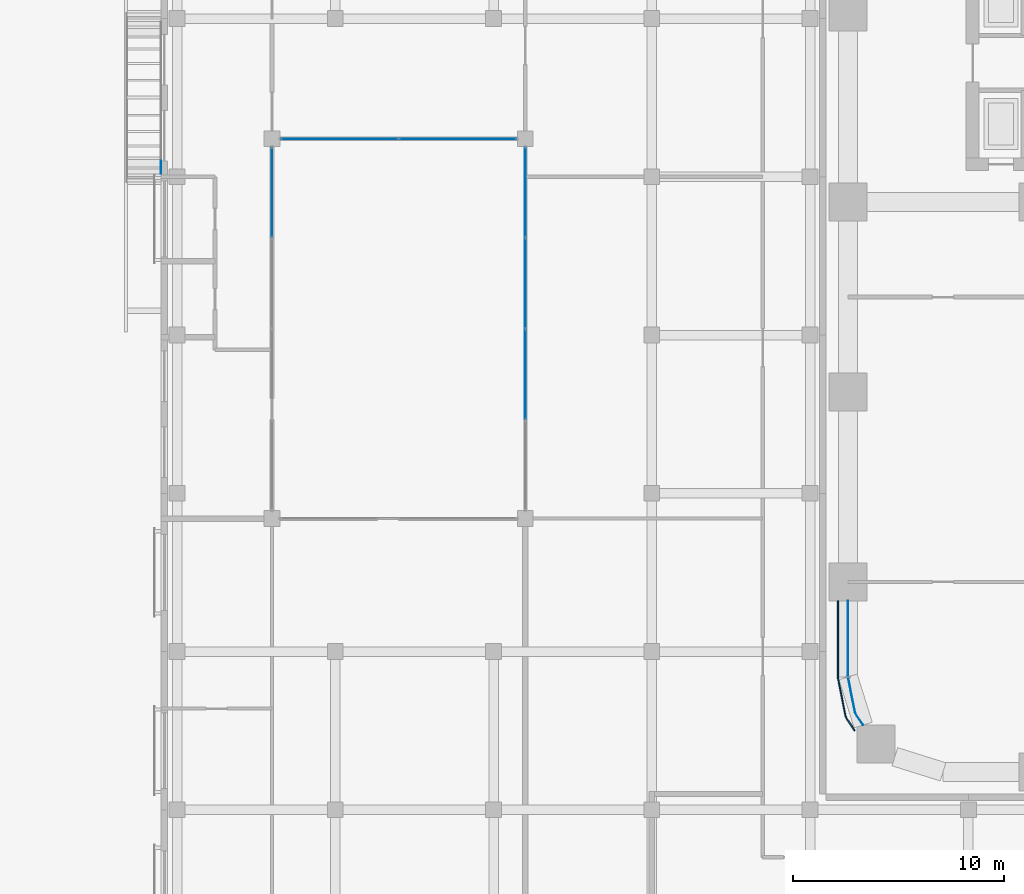
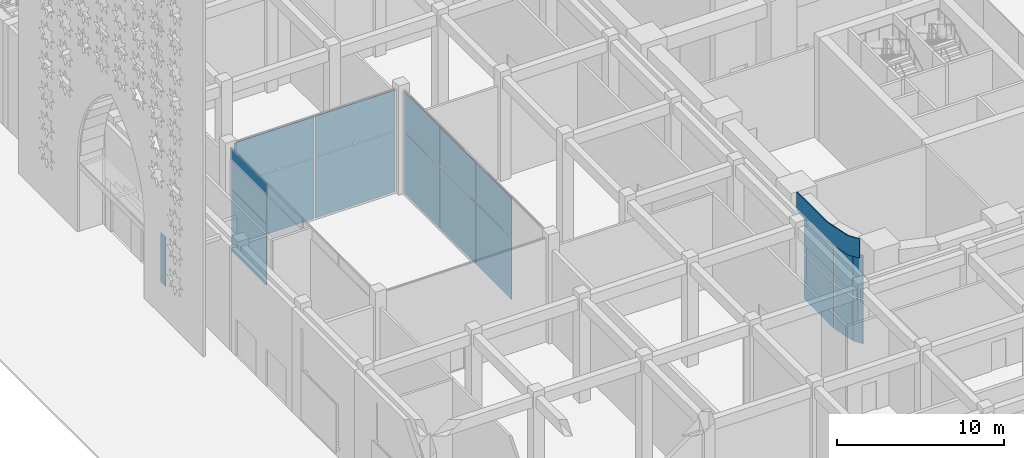
# One storey, part 22 of 64: 18 plates, 4 elements without a shape of their own.
"""IFC4 building model written with IfcOpenShell, lengths in metres."""

import ifcopenshell
import ifcopenshell.guid

model = None  # the IFC model being written
_history = None  # IfcOwnerHistory: only IFC2X3 demands one
_inside = {}  # id of a spatial element -> (the spatial element, [elements in it])
_under = {}  # id of a project, library or spatial element -> (it, [spatial elements below it])
_declared = {}  # id of a project -> (the project, [libraries it declares])
_typed = {}  # id of a type object -> (the type object, [elements of that type])
_made_of = {}  # id of a material, layer set ... -> (it, [elements and type objects made of it])


def new_model(schema):
    """Start an empty IFC model of exactly this schema.

    Asked for "IFC4X3", IfcOpenShell would pick the latest addendum, in which some entities
    have other attributes; the version numbers below select the first issue.
    IFC2X3 requires an IfcOwnerHistory on every rooted entity: one is made here for all.
    """
    global model, _history
    if schema == "IFC4X3":
        model = ifcopenshell.file(schema_version=(4, 3, 0, 0))
    else:
        model = ifcopenshell.file(schema=schema)
    _inside.clear()
    _under.clear()
    _declared.clear()
    _typed.clear()
    _made_of.clear()
    _history = None
    if model.schema == "IFC2X3":
        org = make("IfcOrganization", Name="unknown")
        user = make(
            "IfcPersonAndOrganization",
            ThePerson=make("IfcPerson", FamilyName="unknown"),
            TheOrganization=org,
        )
        app = make(
            "IfcApplication",
            ApplicationDeveloper=org,
            Version="unknown",
            ApplicationFullName="unknown",
            ApplicationIdentifier="unknown",
        )
        _history = make(
            "IfcOwnerHistory",
            OwningUser=user,
            OwningApplication=app,
            ChangeAction="ADDED",
            CreationDate=0,
        )
    return model


def make(cls, **values):
    """One entity of the class cls with the attributes given. An attribute that is None is left unset."""
    return model.create_entity(
        cls, **{name: value for name, value in values.items() if value is not None}
    )


def rooted(cls, **values):
    """An entity with a GlobalId (a new one), such as an element, a storey or a relation."""
    return make(cls, GlobalId=ifcopenshell.guid.new(), OwnerHistory=_history, **values)


def si_unit(unit_type, name, prefix=None):
    """IfcSIUnit, for example si_unit("LENGTHUNIT", "METRE", prefix="MILLI")."""
    return make("IfcSIUnit", UnitType=unit_type, Prefix=prefix, Name=name)


def assignment(units):
    """IfcUnitAssignment: the units of a project."""
    return None if units is None else make("IfcUnitAssignment", Units=units)


def point(xyz):
    """IfcCartesianPoint."""
    return None if xyz is None else make("IfcCartesianPoint", Coordinates=xyz)


def direction(xyz):
    """IfcDirection."""
    return None if xyz is None else make("IfcDirection", DirectionRatios=xyz)


def frame(location, z_axis=None, x_axis=None):
    """IfcAxis2Placement3D, a coordinate frame: its origin and axes. An axis left out is left unset."""
    return make(
        "IfcAxis2Placement3D",
        Location=point(location),
        Axis=direction(z_axis),
        RefDirection=direction(x_axis),
    )


def frame_2d(location, x_axis=None):
    """IfcAxis2Placement2D, a coordinate frame in the plane: its origin and x axis."""
    return make(
        "IfcAxis2Placement2D", Location=point(location), RefDirection=direction(x_axis)
    )


def origin():
    """The frame at (0, 0, 0) with its axes left unset."""
    return frame((0.0, 0.0, 0.0))


def origin_2d():
    """The frame at (0, 0) in the plane with its x axis left unset."""
    return frame_2d((0.0, 0.0))


def place(relative_to, where):
    """IfcLocalPlacement: puts the frame where relative to a parent placement (None: the world)."""
    return make(
        "IfcLocalPlacement", PlacementRelTo=relative_to, RelativePlacement=where
    )


def context(
    kind, dimensions, precision=None, world=None, true_north=None, identifier=None
):
    """IfcGeometricRepresentationContext, for example the 3D "Model" context."""
    return make(
        "IfcGeometricRepresentationContext",
        ContextIdentifier=identifier,
        ContextType=kind,
        CoordinateSpaceDimension=dimensions,
        Precision=precision,
        WorldCoordinateSystem=world,
        TrueNorth=true_north,
    )


def subcontext(parent, identifier, kind, view, scale=None):
    """IfcGeometricRepresentationSubContext, for example "Body" below "Model"."""
    return make(
        "IfcGeometricRepresentationSubContext",
        ContextIdentifier=identifier,
        ContextType=kind,
        ParentContext=parent,
        TargetScale=scale,
        TargetView=view,
    )


def project(units=None, contexts=None):
    """IfcProject with its units and contexts."""
    return rooted(
        "IfcProject",
        Name="project",
        RepresentationContexts=contexts,
        UnitsInContext=assignment(units),
    )


def spatial(cls, under=None, at=None, **own):
    """A site, building, storey or space (cls), placed at a placement, below another one or the project."""
    s = rooted(cls, ObjectPlacement=at, **own)
    if under is not None:
        _under.setdefault(under.id(), (under, []))[1].append(s)
    return s


def polyline(points):
    """IfcPolyline through the points."""
    return make("IfcPolyline", Points=[point(p) for p in points])


def profile(cls, at=None, kind="AREA", **sizes):
    """A parametric profile (cls). Its sizes go by their IFC names, for example OverallWidth=200.0."""
    return make(cls, ProfileType=kind, Position=at, **sizes)


def rectangle(**sizes):
    """IfcRectangleProfileDef."""
    return profile("IfcRectangleProfileDef", **sizes)


def outline(outer, holes=None, kind="AREA"):
    """IfcArbitraryClosedProfileDef: a profile drawn as a closed curve; with holes, ...WithVoids."""
    if holes is None:
        return make("IfcArbitraryClosedProfileDef", ProfileType=kind, OuterCurve=outer)
    return make(
        "IfcArbitraryProfileDefWithVoids",
        ProfileType=kind,
        OuterCurve=outer,
        InnerCurves=holes,
    )


def extrude(swept, where, along, depth):
    """IfcExtrudedAreaSolid: the profile swept, set in the frame where, extruded along a direction by depth."""
    return make(
        "IfcExtrudedAreaSolid",
        SweptArea=swept,
        Position=where,
        ExtrudedDirection=direction(along),
        Depth=depth,
    )


def shape(context_of_items, identifier, shape_type, items):
    """IfcShapeRepresentation: the items that make up one representation, for example the "Body"."""
    return make(
        "IfcShapeRepresentation",
        ContextOfItems=context_of_items,
        RepresentationIdentifier=identifier,
        RepresentationType=shape_type,
        Items=items,
    )


def material(Name=None, Category=None):
    """IfcMaterial."""
    return make("IfcMaterial", Name=Name, Category=Category)


def layer(
    of_material, thickness, ventilated=None, Name=None, Category=None, Priority=None
):
    """IfcMaterialLayer: one layer of a wall or slab, of a material (None: an air gap)."""
    return make(
        "IfcMaterialLayer",
        Material=of_material,
        LayerThickness=thickness,
        IsVentilated=ventilated,
        Name=Name,
        Category=Category,
        Priority=Priority,
    )


def layer_set(layers, Name=None):
    """IfcMaterialLayerSet."""
    return make("IfcMaterialLayerSet", MaterialLayers=layers, LayerSetName=Name)


def made_of(thing, what):
    """Note that an element or type object is made of a material, layer set ...; save() writes the relation."""
    if what is not None:
        _made_of.setdefault(what.id(), (what, []))[1].append(thing)
    return thing


def type_object(cls, material=None, **own):
    """A type object (cls), such as IfcWallType, which elements share."""
    return made_of(rooted(cls, **own), material)


def element(
    cls,
    number,
    at=None,
    inside=None,
    cuts=None,
    type_object=None,
    material=None,
    context=None,
    identifier="Body",
    shape_type=None,
    held_by="IfcProductDefinitionShape",
    body=None,
    shapes=None,
    **own,
):
    """One element of the class cls, such as IfcWall. Its Tag is "e" and its number.

    at: its placement. inside: the storey or other place that contains it. cuts: it is an
    opening in that element (IfcRelVoidsElement). A single representation is given by context,
    identifier, shape_type and body (its items); several are given by shapes. held_by: the class
    of the entity that holds the representations. save() writes the other relations.
    """
    e = rooted(cls, Tag="e%d" % number, ObjectPlacement=at, **own)
    if body is not None:
        shapes = [shape(context, identifier, shape_type, body)]
    if shapes is not None:
        e.Representation = make(held_by, Representations=shapes)
    if inside is not None:
        _inside.setdefault(inside.id(), (inside, []))[1].append(e)
    if cuts is not None:
        rooted(
            "IfcRelVoidsElement", RelatingBuildingElement=cuts, RelatedOpeningElement=e
        )
    if type_object is not None:
        _typed.setdefault(type_object.id(), (type_object, []))[1].append(e)
    return made_of(e, material)


def aggregate(whole, parts):
    """IfcRelAggregates: a whole, such as a stair, and the parts it consists of."""
    return rooted("IfcRelAggregates", RelatingObject=whole, RelatedObjects=parts)


def save(model, path):
    """Write the relations noted so far, then the file.

    IfcRelAggregates (storeys below a building ...), IfcRelContainedInSpatialStructure (elements
    in a storey), IfcRelDefinesByType, IfcRelAssociatesMaterial and IfcRelDeclares: one each for
    every whole, place, type object, material and project.
    """
    for whole, parts in _under.values():
        aggregate(whole, parts)
    for where, things in _inside.values():
        rooted(
            "IfcRelContainedInSpatialStructure",
            RelatedElements=things,
            RelatingStructure=where,
        )
    for kind, things in _typed.values():
        rooted("IfcRelDefinesByType", RelatedObjects=things, RelatingType=kind)
    for what, things in _made_of.values():
        rooted("IfcRelAssociatesMaterial", RelatedObjects=things, RelatingMaterial=what)
    for by, libraries in _declared.values():
        rooted("IfcRelDeclares", RelatingContext=by, RelatedDefinitions=libraries)
    model.write(path)


model = new_model("IFC4")

# Units and contexts
model_context = context("Model", 3, precision=1e-05, world=origin(), true_north=direction((0.0, 1.0)))
body_context = subcontext(model_context, "Body", "Model", "MODEL_VIEW")
ifc_project = project(units=[si_unit("LENGTHUNIT", "METRE"), si_unit("AREAUNIT", "SQUARE_METRE"), si_unit("VOLUMEUNIT", "CUBIC_METRE"), si_unit("PLANEANGLEUNIT", "RADIAN"), si_unit("MASSUNIT", "GRAM", prefix="KILO")], contexts=[model_context])

# Site, building, storey
site_placement = place(None, origin())
site = spatial("IfcSite", under=ifc_project, at=site_placement, CompositionType="ELEMENT")
building_placement = place(site_placement, origin())
building = spatial("IfcBuilding", under=site, at=building_placement, Name="Tessera Arch", CompositionType="ELEMENT")
storey_placement = place(building_placement, origin())
storey = spatial("IfcBuildingStorey", under=building, at=storey_placement, Name="L00", CompositionType="ELEMENT", Elevation=0.0)

# Curtain wall, plates
ifc_material_1 = material(Name="CW2 curtain wall")
curtain_wall_type_1 = type_object("IfcCurtainWallType", Name="CW2 curtain wall", PredefinedType="NOTDEFINED", material=ifc_material_1)
curtain_wall_1_placement = place(storey_placement, origin())
curtain_wall_1 = element("IfcCurtainWall", 1, at=curtain_wall_1_placement, inside=storey, type_object=curtain_wall_type_1, Name="CW2 curtain wall W0.0/5 L00", PredefinedType="NOTDEFINED")
ifc_material_2 = material(Name="Clear low-e glass", Category="glass")
ifc_layer_1 = layer(ifc_material_2, 0.028076171875)
ifc_layer_set_1 = layer_set([ifc_layer_1], Name="CW2 glass panel")
plate_type_1 = type_object("IfcPlateType", Name="CW2 glass panel", PredefinedType="CURTAIN_PANEL", material=ifc_layer_set_1)
plate_1_placement = place(storey_placement, frame((0.0, 6.320068359375, 0.0), z_axis=(0.0, 0.0, 1.0), x_axis=(0.0, -1.0, 0.0)))
plate_1 = element("IfcPlate", 2, at=plate_1_placement, type_object=plate_type_1, Name="CW2 glass panel W0.0/5 1.1", PredefinedType="CURTAIN_PANEL", context=body_context, shape_type="SweptSolid", body=[
    extrude(rectangle(XDim=3.56005859375, YDim=0.028076171875, at=origin_2d()), origin(), (0.0, 0.0, 1.0), 3.195068359375),
])
plate_2_placement = place(storey_placement, origin())
plate_2 = element("IfcPlate", 3, at=plate_2_placement, type_object=plate_type_1, Name="CW2 curved glass panel W0.0/5 2.1", PredefinedType="CURTAIN_PANEL", context=body_context, shape_type="SweptSolid", body=[
    extrude(outline(polyline([(0.355712890625, 2.783447265625), (0.021484375, 4.46337890625), (-0.005859375, 4.4580078125), (0.329345703125, 2.7724609375), (0.705078125, 2.210205078125), (0.728271484375, 2.225830078125), (0.355712890625, 2.783447265625)])), origin(), (0.0, 0.0, 1.0), 3.195068359375),
])
plate_3_placement = place(storey_placement, frame((0.0, 6.320068359375, 3.294921875), z_axis=(0.0, 0.0, 1.0), x_axis=(0.0, -1.0, 0.0)))
plate_3 = element("IfcPlate", 4, at=plate_3_placement, type_object=plate_type_1, Name="CW2 glass panel W0.0/5 1.2", PredefinedType="CURTAIN_PANEL", context=body_context, shape_type="SweptSolid", body=[
    extrude(rectangle(XDim=3.56005859375, YDim=0.028076171875, at=origin_2d()), origin(), (0.0, 0.0, 1.0), 3.195068359375),
])
plate_4_placement = place(storey_placement, frame((0.0, 0.0, 3.294921875)))
plate_4 = element("IfcPlate", 5, at=plate_4_placement, type_object=plate_type_1, Name="CW2 curved glass panel W0.0/5 2.2", PredefinedType="CURTAIN_PANEL", context=body_context, shape_type="SweptSolid", body=[
    extrude(outline(polyline([(0.355712890625, 2.783447265625), (0.021484375, 4.46337890625), (-0.005859375, 4.4580078125), (0.329345703125, 2.7724609375), (0.705078125, 2.210205078125), (0.728271484375, 2.225830078125), (0.355712890625, 2.783447265625)])), origin(), (0.0, 0.0, 1.0), 3.195068359375),
])
ifc_material_3 = material(Name="Pale anodised aluminium panel", Category="aluminium")
ifc_layer_2 = layer(ifc_material_3, 0.06005859375)
ifc_layer_set_2 = layer_set([ifc_layer_2], Name="CW2 spandrel panel")
plate_type_2 = type_object("IfcPlateType", Name="CW2 spandrel panel", PredefinedType="CURTAIN_PANEL", material=ifc_layer_set_2)
plate_5_placement = place(storey_placement, frame((0.0, 0.0, 6.590087890625)))
plate_5 = element("IfcPlate", 6, at=plate_5_placement, type_object=plate_type_2, Name="CW2 spandrel panel W0.0/5", PredefinedType="CURTAIN_PANEL", context=body_context, shape_type="SweptSolid", body=[
    extrude(outline(polyline([(-0.449951171875, 4.500732421875), (-0.449951171875, 8.10009765625), (-0.510009765625, 8.10009765625), (-0.510009765625, 4.499267578125), (-0.507568359375, 4.449951171875), (-0.500244140625, 4.401123046875), (-0.157470703125, 2.677734375), (-0.1455078125, 2.6298828125), (-0.128662109375, 2.582763671875), (-0.107177734375, 2.537353515625), (-0.08203125, 2.4951171875), (0.292724609375, 1.9345703125), (0.342529296875, 1.968017578125), (-0.03125, 2.52734375), (-0.05419921875, 2.565673828125), (-0.0732421875, 2.605712890625), (-0.088134765625, 2.647216796875), (-0.09912109375, 2.69091796875), (-0.441162109375, 4.411376953125), (-0.44775390625, 4.455810546875), (-0.449951171875, 4.500732421875)])), origin(), (0.0, 0.0, 1.0), 1.409912109375),
])
aggregate(curtain_wall_1, [plate_1, plate_2, plate_3, plate_4, plate_5])

ifc_material_4 = material(Name="Aluminium and clear glass", Category="aluminium")
ifc_layer_3 = layer(ifc_material_4, 0.1201171875)
ifc_layer_set_3 = layer_set([ifc_layer_3], Name="Courtyard curtain wall")
curtain_wall_type_2 = type_object("IfcCurtainWallType", Name="Courtyard curtain wall", PredefinedType="NOTDEFINED", material=ifc_layer_set_3)
curtain_wall_2_placement = place(storey_placement, origin())
curtain_wall_2 = element("IfcCurtainWall", 7, at=curtain_wall_2_placement, inside=storey, type_object=curtain_wall_type_2, Name="Courtyard curtain wall L00 2", PredefinedType="NOTDEFINED")
ifc_material_5 = material(Name="Clear low-e laminated glass", Category="glass")
ifc_layer_4 = layer(ifc_material_5, 0.028076171875)
ifc_layer_set_4 = layer_set([ifc_layer_4], Name="Courtyard glass panel")
plate_type_3 = type_object("IfcPlateType", Name="Courtyard glass panel", PredefinedType="CURTAIN_PANEL", material=ifc_layer_set_4)
plate_6_placement = place(storey_placement, frame((-15.300048828125, 18.84375, 0.06005859375), z_axis=(0.0, 0.0, 1.0), x_axis=(0.0, 1.0, 0.0)))
plate_6 = element("IfcPlate", 8, at=plate_6_placement, type_object=plate_type_3, Name="MCW1 panel 2.1", PredefinedType="CURTAIN_PANEL", context=body_context, shape_type="SweptSolid", body=[
    extrude(rectangle(XDim=4.25244140625, YDim=0.028076171875, at=origin_2d()), origin(), (0.0, 0.0, 1.0), 4.464111328125),
])
plate_7_placement = place(storey_placement, frame((-15.300048828125, 18.84375, 4.583984375), z_axis=(0.0, 0.0, 1.0), x_axis=(0.0, 1.0, 0.0)))
plate_7 = element("IfcPlate", 9, at=plate_7_placement, type_object=plate_type_3, Name="MCW1 panel 2.2", PredefinedType="CURTAIN_PANEL", context=body_context, shape_type="SweptSolid", body=[
    extrude(rectangle(XDim=4.25244140625, YDim=0.028076171875, at=origin_2d()), origin(), (0.0, 0.0, 1.0), 2.946044921875),
])
plate_8_placement = place(storey_placement, frame((-15.300048828125, 23.15625, 0.06005859375), z_axis=(0.0, 0.0, 1.0), x_axis=(0.0, 1.0, 0.0)))
plate_8 = element("IfcPlate", 10, at=plate_8_placement, type_object=plate_type_3, Name="MCW1 panel 3.1", PredefinedType="CURTAIN_PANEL", context=body_context, shape_type="SweptSolid", body=[
    extrude(rectangle(XDim=4.25244140625, YDim=0.028076171875, at=origin_2d()), origin(), (0.0, 0.0, 1.0), 4.464111328125),
])
plate_9_placement = place(storey_placement, frame((-15.300048828125, 23.15625, 4.583984375), z_axis=(0.0, 0.0, 1.0), x_axis=(0.0, 1.0, 0.0)))
plate_9 = element("IfcPlate", 11, at=plate_9_placement, type_object=plate_type_3, Name="MCW1 panel 3.2", PredefinedType="CURTAIN_PANEL", context=body_context, shape_type="SweptSolid", body=[
    extrude(rectangle(XDim=4.25244140625, YDim=0.028076171875, at=origin_2d()), origin(), (0.0, 0.0, 1.0), 2.946044921875),
])
plate_10_placement = place(storey_placement, frame((-15.300048828125, 27.453857421875, 0.06005859375), z_axis=(0.0, 0.0, 1.0), x_axis=(0.0, 1.0, 0.0)))
plate_10 = element("IfcPlate", 12, at=plate_10_placement, type_object=plate_type_3, Name="MCW1 panel 4.1", PredefinedType="CURTAIN_PANEL", context=body_context, shape_type="SweptSolid", body=[
    extrude(rectangle(XDim=4.222412109375, YDim=0.028076171875, at=origin_2d()), origin(), (0.0, 0.0, 1.0), 4.464111328125),
])
plate_11_placement = place(storey_placement, frame((-15.300048828125, 27.453857421875, 4.583984375), z_axis=(0.0, 0.0, 1.0), x_axis=(0.0, 1.0, 0.0)))
plate_11 = element("IfcPlate", 13, at=plate_11_placement, type_object=plate_type_3, Name="MCW1 panel 4.2", PredefinedType="CURTAIN_PANEL", context=body_context, shape_type="SweptSolid", body=[
    extrude(rectangle(XDim=4.222412109375, YDim=0.028076171875, at=origin_2d()), origin(), (0.0, 0.0, 1.0), 2.946044921875),
])
aggregate(curtain_wall_2, [plate_6, plate_7, plate_8, plate_9, plate_10, plate_11])

curtain_wall_3_placement = place(storey_placement, origin())
curtain_wall_3 = element("IfcCurtainWall", 14, at=curtain_wall_3_placement, inside=storey, type_object=curtain_wall_type_2, Name="Courtyard curtain wall L00 3", PredefinedType="NOTDEFINED")
plate_12_placement = place(storey_placement, frame((-18.50244140625, 30.0, 0.06005859375), z_axis=(0.0, 0.0, 1.0), x_axis=(-1.0, 0.0, 0.0)))
plate_12 = element("IfcPlate", 15, at=plate_12_placement, type_object=plate_type_3, Name="MCW1 panel 1.1", PredefinedType="CURTAIN_PANEL", context=body_context, shape_type="SweptSolid", body=[
    extrude(rectangle(XDim=5.534912109375, YDim=0.028076171875, at=origin_2d()), origin(), (0.0, 0.0, 1.0), 4.464111328125),
])
plate_13_placement = place(storey_placement, frame((-18.50244140625, 30.0, 4.583984375), z_axis=(0.0, 0.0, 1.0), x_axis=(-1.0, 0.0, 0.0)))
plate_13 = element("IfcPlate", 16, at=plate_13_placement, type_object=plate_type_3, Name="MCW1 panel 1.2", PredefinedType="CURTAIN_PANEL", context=body_context, shape_type="SweptSolid", body=[
    extrude(rectangle(XDim=5.534912109375, YDim=0.028076171875, at=origin_2d()), origin(), (0.0, 0.0, 1.0), 2.946044921875),
])
plate_14_placement = place(storey_placement, frame((-24.097412109375, 30.0, 0.06005859375), z_axis=(0.0, 0.0, 1.0), x_axis=(-1.0, 0.0, 0.0)))
plate_14 = element("IfcPlate", 17, at=plate_14_placement, type_object=plate_type_3, Name="MCW1 panel 2.1", PredefinedType="CURTAIN_PANEL", context=body_context, shape_type="SweptSolid", body=[
    extrude(rectangle(XDim=5.534912109375, YDim=0.028076171875, at=origin_2d()), origin(), (0.0, 0.0, 1.0), 4.464111328125),
])
plate_15_placement = place(storey_placement, frame((-24.097412109375, 30.0, 4.583984375), z_axis=(0.0, 0.0, 1.0), x_axis=(-1.0, 0.0, 0.0)))
plate_15 = element("IfcPlate", 18, at=plate_15_placement, type_object=plate_type_3, Name="MCW1 panel 2.2", PredefinedType="CURTAIN_PANEL", context=body_context, shape_type="SweptSolid", body=[
    extrude(rectangle(XDim=5.534912109375, YDim=0.028076171875, at=origin_2d()), origin(), (0.0, 0.0, 1.0), 2.946044921875),
])
aggregate(curtain_wall_3, [plate_12, plate_13, plate_14, plate_15])

curtain_wall_4_placement = place(storey_placement, origin())
curtain_wall_4 = element("IfcCurtainWall", 19, at=curtain_wall_4_placement, inside=storey, type_object=curtain_wall_type_2, Name="Courtyard curtain wall L00 4", PredefinedType="NOTDEFINED")
plate_16_placement = place(storey_placement, frame((-27.300048828125, 27.453857421875, 0.06005859375), z_axis=(0.0, 0.0, 1.0), x_axis=(0.0, -1.0, 0.0)))
plate_16 = element("IfcPlate", 20, at=plate_16_placement, type_object=plate_type_3, Name="MCW1 panel 1.1", PredefinedType="CURTAIN_PANEL", context=body_context, shape_type="SweptSolid", body=[
    extrude(rectangle(XDim=4.222412109375, YDim=0.028076171875, at=origin_2d()), origin(), (0.0, 0.0, 1.0), 4.464111328125),
])
plate_17_placement = place(storey_placement, frame((-27.300048828125, 27.453857421875, 4.583984375), z_axis=(0.0, 0.0, 1.0), x_axis=(0.0, -1.0, 0.0)))
plate_17 = element("IfcPlate", 21, at=plate_17_placement, type_object=plate_type_3, Name="MCW1 panel 1.2", PredefinedType="CURTAIN_PANEL", context=body_context, shape_type="SweptSolid", body=[
    extrude(rectangle(XDim=4.222412109375, YDim=0.028076171875, at=origin_2d()), origin(), (0.0, 0.0, 1.0), 2.946044921875),
])
aggregate(curtain_wall_4, [plate_16, plate_17])

# Plate
ifc_material_6 = material(Name="Glazed ceramic tile gold", Category="ceramic")
ifc_layer_5 = layer(ifc_material_6, 0.030029296875)
ifc_layer_set_5 = layer_set([ifc_layer_5], Name="Museum tile band gold")
plate_type_4 = type_object("IfcPlateType", Name="Museum tile band gold", PredefinedType="SHEET", material=ifc_layer_set_5)
plate_18_placement = place(storey_placement, frame((-32.56494140625, 28.64990234375, 0.0), z_axis=(0.0, 0.0, 1.0), x_axis=(0.0, 1.0, 0.0)))
element("IfcPlate", 22, at=plate_18_placement, inside=storey, type_object=plate_type_4, Name="Entrance portal pier 1", PredefinedType="SHEET", context=body_context, shape_type="SweptSolid", body=[
    extrude(rectangle(XDim=0.60009765625, YDim=0.030029296875, at=origin_2d()), origin(), (0.0, 0.0, 1.0), 3.60009765625),
])

save(model, "model.ifc")
